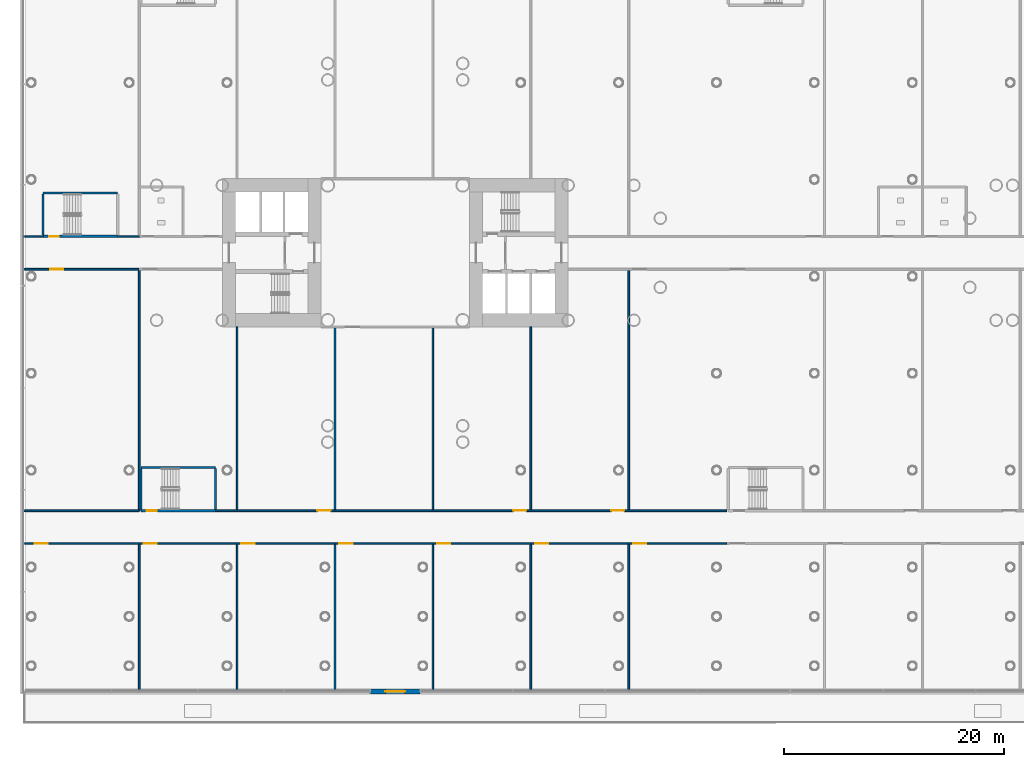
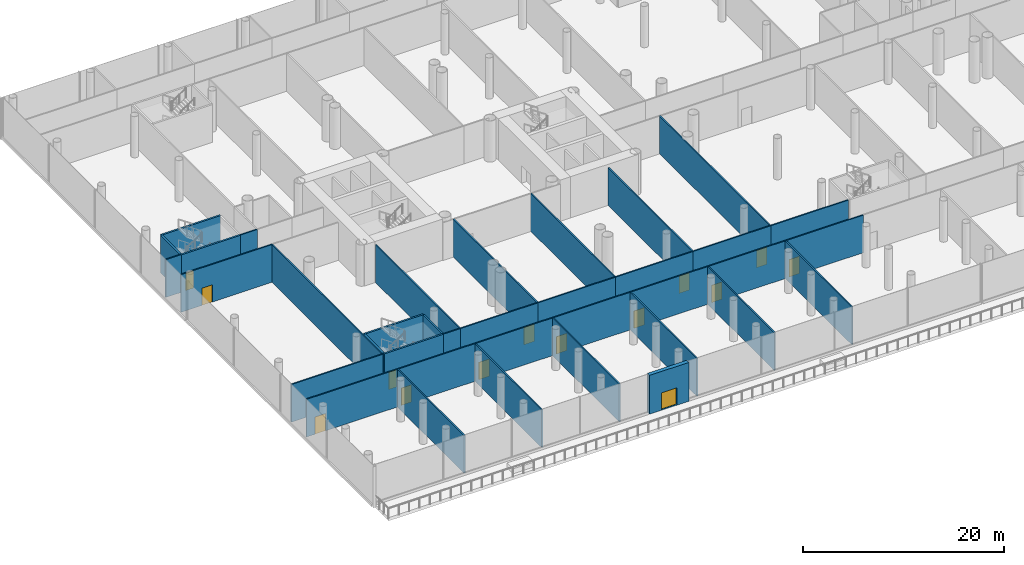
# One storey, part 17 of 59: 37 walls, 14 doors, 14 openings.
"""IFC4 building model written with IfcOpenShell, lengths in metres."""

from ifc_helpers import new_model, si_unit, direction, frame, frame_2d, origin, place, context, subcontext, project, spatial, rectangle, extrude, material, layer, layer_set, type_object, element, fill, save


model = new_model("IFC4")

# Units and contexts
model_context = context("Model", 3, precision=1e-05, world=origin(), true_north=direction((0.0, 1.0)))
body_context = subcontext(model_context, "Body", "Model", "MODEL_VIEW")
ifc_project = project(units=[si_unit("LENGTHUNIT", "METRE"), si_unit("AREAUNIT", "SQUARE_METRE"), si_unit("VOLUMEUNIT", "CUBIC_METRE"), si_unit("PLANEANGLEUNIT", "RADIAN"), si_unit("MASSUNIT", "GRAM", prefix="KILO")], contexts=[model_context])

# Site, building, storey
site_placement = place(None, origin())
site = spatial("IfcSite", under=ifc_project, at=site_placement, CompositionType="ELEMENT")
building_placement = place(site_placement, origin())
building = spatial("IfcBuilding", under=site, at=building_placement, Name="Ipe Terrace Towers", CompositionType="ELEMENT")
storey_placement = place(building_placement, frame((0.0, 0.0, 6.0)))
storey = spatial("IfcBuildingStorey", under=building, at=storey_placement, Name="L01", CompositionType="ELEMENT", Elevation=6.0)

# Wall, opening, door
ifc_material_1 = material(Name="Gypsum board partition", Category="plasterboard")
ifc_layer_1 = layer(ifc_material_1, 0.14990234375)
ifc_layer_set_1 = layer_set([ifc_layer_1], Name="Gypsum board partition 150 mm")
wall_type_1 = type_object("IfcWallType", Name="Gypsum board partition 150 mm", PredefinedType="PARTITIONING", material=ifc_layer_set_1)
wall_1_placement = place(storey_placement, frame((-69.85009765625, -26.5, 0.0), z_axis=(0.0, 0.0, 1.0), x_axis=(1.0, 0.0, 0.0)))
wall_1 = element("IfcWall", 1, at=wall_1_placement, inside=storey, type_object=wall_type_1, Name="Gypsum board partition T1 L01 pd-r0-w0", PredefinedType="PARTITIONING", context=body_context, shape_type="SweptSolid", body=[
    extrude(rectangle(XDim=10.52001953125, YDim=0.14990234375, at=frame_2d((5.260009765625, 0.0))), origin(), (0.0, 0.0, 1.0), 4.580078125),
])
opening_1_placement = place(wall_1_placement, frame((1.0, 0.0, 0.0)))
opening_1 = element("IfcOpeningElement", 2, at=opening_1_placement, cuts=wall_1, Name="Opening PD-L01-r0", PredefinedType="OPENING", context=body_context, shape_type="SweptSolid", body=[
    extrude(rectangle(XDim=1.199951171875, YDim=2.10009765625, at=frame_2d((0.60009765625, 1.050048828125))), frame((0.0, 0.0849609375, 0.0), z_axis=(0.0, -1.0, 0.0), x_axis=(1.0, 0.0, 0.0)), (0.0, 0.0, 1.0), 0.169921875),
])
ifc_material_2 = material(Name="Fire-rated timber door leaf", Category="wood")
door_type_1 = type_object("IfcDoorType", Name="Lounge door 1200 x 2100 FD30S", OperationType="NOTDEFINED", PredefinedType="DOOR", material=ifc_material_2)
door_1_placement = place(opening_1_placement, origin())
door_1 = element("IfcDoor", 3, at=door_1_placement, inside=storey, type_object=door_type_1, Name="Lounge door PD-L01-r0", OperationType="SINGLE_SWING_RIGHT", OverallHeight=2.10009765625, OverallWidth=1.199951171875, PredefinedType="DOOR", context=body_context, shape_type="SweptSolid", body=[
    extrude(rectangle(XDim=1.199951171875, YDim=2.10009765625, at=frame_2d((0.60009765625, 1.050048828125))), frame((0.0, 0.02490234375, 0.0), z_axis=(0.0, -1.0, 0.0), x_axis=(1.0, 0.0, 0.0)), (0.0, 0.0, 1.0), 0.050048828125),
])
fill(opening_1, door_1)

# Wall
wall_2_placement = place(storey_placement, frame((-59.330078125, -26.5, 0.0), z_axis=(0.0, 0.0, 1.0), x_axis=(0.0, -1.0, 0.0)))
element("IfcWall", 4, at=wall_2_placement, inside=storey, type_object=wall_type_1, Name="Gypsum board partition T1 L01 pd-r0-r4-w1", PredefinedType="PARTITIONING", context=body_context, shape_type="SweptSolid", body=[
    extrude(rectangle(XDim=13.35009765625, YDim=0.14990234375, at=frame_2d((6.675048828125, 0.0))), origin(), (0.0, 0.0, 1.0), 4.580078125),
])

# Wall, opening, door
wall_3_placement = place(storey_placement, frame((-69.85009765625, -1.5, 0.0), z_axis=(0.0, 0.0, 1.0), x_axis=(1.0, 0.0, 0.0)))
wall_3 = element("IfcWall", 5, at=wall_3_placement, inside=storey, type_object=wall_type_1, Name="Gypsum board partition T1 L01 pd-r1-w2", PredefinedType="PARTITIONING", context=body_context, shape_type="SweptSolid", body=[
    extrude(rectangle(XDim=10.52001953125, YDim=0.14990234375, at=frame_2d((5.260009765625, 0.0))), origin(), (0.0, 0.0, 1.0), 4.580078125),
])
opening_2_placement = place(wall_3_placement, frame((2.39990234375, 0.0, 0.0)))
opening_2 = element("IfcOpeningElement", 6, at=opening_2_placement, cuts=wall_3, Name="Opening PD-L01-r1", PredefinedType="OPENING", context=body_context, shape_type="SweptSolid", body=[
    extrude(rectangle(XDim=1.199951171875, YDim=2.10009765625, at=frame_2d((0.60009765625, 1.050048828125))), frame((0.0, 0.0849609375, 0.0), z_axis=(0.0, -1.0, 0.0), x_axis=(1.0, 0.0, 0.0)), (0.0, 0.0, 1.0), 0.169921875),
])
door_2_placement = place(opening_2_placement, origin())
door_2 = element("IfcDoor", 7, at=door_2_placement, inside=storey, type_object=door_type_1, Name="Lounge door PD-L01-r1", OperationType="SINGLE_SWING_RIGHT", OverallHeight=2.10009765625, OverallWidth=1.199951171875, PredefinedType="DOOR", context=body_context, shape_type="SweptSolid", body=[
    extrude(rectangle(XDim=1.199951171875, YDim=2.10009765625, at=frame_2d((0.60009765625, 1.050048828125))), frame((0.0, 0.02490234375, 0.0), z_axis=(0.0, -1.0, 0.0), x_axis=(1.0, 0.0, 0.0)), (0.0, 0.0, 1.0), 0.050048828125),
])
fill(opening_2, door_2)

# Walls
wall_4_placement = place(storey_placement, frame((-59.330078125, -23.5, 0.0), z_axis=(0.0, 0.0, 1.0), x_axis=(-1.0, 0.0, 0.0)))
element("IfcWall", 8, at=wall_4_placement, inside=storey, type_object=wall_type_1, Name="Gypsum board partition T1 L01 pd-r1-w3", PredefinedType="PARTITIONING", context=body_context, shape_type="SweptSolid", body=[
    extrude(rectangle(XDim=10.52001953125, YDim=0.14990234375, at=frame_2d((5.260009765625, 0.0))), origin(), (0.0, 0.0, 1.0), 4.580078125),
])
wall_5_placement = place(storey_placement, frame((-59.330078125, -1.5, 0.0), z_axis=(0.0, 0.0, 1.0), x_axis=(0.0, -1.0, 0.0)))
element("IfcWall", 9, at=wall_5_placement, inside=storey, type_object=wall_type_1, Name="Gypsum board partition T1 L01 pd-r1-r5-w4", PredefinedType="PARTITIONING", context=body_context, shape_type="SweptSolid", body=[
    extrude(rectangle(XDim=22.0, YDim=0.14990234375, at=frame_2d((11.0, 0.0))), origin(), (0.0, 0.0, 1.0), 4.580078125),
])
wall_6_placement = place(storey_placement, frame((-59.330078125, 1.5, 0.0), z_axis=(0.0, 0.0, 1.0), x_axis=(-1.0, 0.0, 0.0)))
element("IfcWall", 10, at=wall_6_placement, inside=storey, type_object=wall_type_1, Name="Gypsum board partition T1 L01 pd-r2-w5", PredefinedType="PARTITIONING", context=body_context, shape_type="SweptSolid", body=[
    extrude(rectangle(XDim=1.9599609375, YDim=0.14990234375, at=frame_2d((0.97998046875, 0.0))), origin(), (0.0, 0.0, 1.0), 4.580078125),
])
wall_7_placement = place(storey_placement, frame((-68.090087890625, 1.5, 0.0), z_axis=(0.0, 0.0, 1.0), x_axis=(-1.0, 0.0, 0.0)))
element("IfcWall", 11, at=wall_7_placement, inside=storey, type_object=wall_type_1, Name="Gypsum board partition T1 L01 pd-r2-w6", PredefinedType="PARTITIONING", context=body_context, shape_type="SweptSolid", body=[
    extrude(rectangle(XDim=1.760009765625, YDim=0.14990234375, at=frame_2d((0.8798828125, 0.0))), origin(), (0.0, 0.0, 1.0), 4.580078125),
])

# Wall, opening, door
wall_8_placement = place(storey_placement, frame((-59.330078125, -26.5, 0.0), z_axis=(0.0, 0.0, 1.0), x_axis=(1.0, 0.0, 0.0)))
wall_8 = element("IfcWall", 12, at=wall_8_placement, inside=storey, type_object=wall_type_1, Name="Gypsum board partition T1 L01 pd-r4-w11", PredefinedType="PARTITIONING", context=body_context, shape_type="SweptSolid", body=[
    extrude(rectangle(XDim=8.920166015625, YDim=0.14990234375, at=frame_2d((4.4599609375, 0.0))), origin(), (0.0, 0.0, 1.0), 4.580078125),
])
opening_3_placement = place(wall_8_placement, frame((0.39990234375, 0.0, 0.0)))
opening_3 = element("IfcOpeningElement", 13, at=opening_3_placement, cuts=wall_8, Name="Opening PD-L01-r4", PredefinedType="OPENING", context=body_context, shape_type="SweptSolid", body=[
    extrude(rectangle(XDim=1.199951171875, YDim=2.10009765625, at=frame_2d((0.60009765625, 1.050048828125))), frame((0.0, 0.0849609375, 0.0), z_axis=(0.0, -1.0, 0.0), x_axis=(1.0, 0.0, 0.0)), (0.0, 0.0, 1.0), 0.169921875),
])
door_3_placement = place(opening_3_placement, origin())
door_3 = element("IfcDoor", 14, at=door_3_placement, inside=storey, type_object=door_type_1, Name="Lounge door PD-L01-r4", OperationType="SINGLE_SWING_RIGHT", OverallHeight=2.10009765625, OverallWidth=1.199951171875, PredefinedType="DOOR", context=body_context, shape_type="SweptSolid", body=[
    extrude(rectangle(XDim=1.199951171875, YDim=2.10009765625, at=frame_2d((0.60009765625, 1.050048828125))), frame((0.0, 0.02490234375, 0.0), z_axis=(0.0, -1.0, 0.0), x_axis=(1.0, 0.0, 0.0)), (0.0, 0.0, 1.0), 0.050048828125),
])
fill(opening_3, door_3)

# Walls
wall_9_placement = place(storey_placement, frame((-50.409912109375, -26.5, 0.0), z_axis=(0.0, 0.0, 1.0), x_axis=(0.0, -1.0, 0.0)))
element("IfcWall", 15, at=wall_9_placement, inside=storey, type_object=wall_type_1, Name="Gypsum board partition T1 L01 pd-r4-r8-w12", PredefinedType="PARTITIONING", context=body_context, shape_type="SweptSolid", body=[
    extrude(rectangle(XDim=13.35009765625, YDim=0.14990234375, at=frame_2d((6.675048828125, 0.0))), origin(), (0.0, 0.0, 1.0), 4.580078125),
])
wall_10_placement = place(storey_placement, frame((-50.409912109375, -23.5, 0.0), z_axis=(0.0, 0.0, 1.0), x_axis=(-1.0, 0.0, 0.0)))
element("IfcWall", 16, at=wall_10_placement, inside=storey, type_object=wall_type_1, Name="Gypsum board partition T1 L01 pd-r5-w14", PredefinedType="PARTITIONING", context=body_context, shape_type="SweptSolid", body=[
    extrude(rectangle(XDim=1.960205078125, YDim=0.14990234375, at=frame_2d((0.97998046875, 0.0))), origin(), (0.0, 0.0, 1.0), 4.580078125),
])
wall_11_placement = place(storey_placement, frame((-50.409912109375, -6.75, 0.0), z_axis=(0.0, 0.0, 1.0), x_axis=(0.0, -1.0, 0.0)))
element("IfcWall", 17, at=wall_11_placement, inside=storey, type_object=wall_type_1, Name="Gypsum board partition T1 L01 pd-r5-r9-w15", PredefinedType="PARTITIONING", context=body_context, shape_type="SweptSolid", body=[
    extrude(rectangle(XDim=16.75, YDim=0.14990234375, at=frame_2d((8.375, 0.0))), origin(), (0.0, 0.0, 1.0), 4.580078125),
])

# Wall, opening, door
wall_12_placement = place(storey_placement, frame((-50.409912109375, -26.5, 0.0), z_axis=(0.0, 0.0, 1.0), x_axis=(1.0, 0.0, 0.0)))
wall_12 = element("IfcWall", 18, at=wall_12_placement, inside=storey, type_object=wall_type_1, Name="Gypsum board partition T1 L01 pd-r8-w19", PredefinedType="PARTITIONING", context=body_context, shape_type="SweptSolid", body=[
    extrude(rectangle(XDim=8.919921875, YDim=0.14990234375, at=frame_2d((4.4599609375, 0.0))), origin(), (0.0, 0.0, 1.0), 4.580078125),
])
opening_4_placement = place(wall_12_placement, frame((0.39990234375, 0.0, 0.0)))
opening_4 = element("IfcOpeningElement", 19, at=opening_4_placement, cuts=wall_12, Name="Opening PD-L01-r8", PredefinedType="OPENING", context=body_context, shape_type="SweptSolid", body=[
    extrude(rectangle(XDim=1.199951171875, YDim=2.10009765625, at=frame_2d((0.60009765625, 1.050048828125))), frame((0.0, 0.0849609375, 0.0), z_axis=(0.0, -1.0, 0.0), x_axis=(1.0, 0.0, 0.0)), (0.0, 0.0, 1.0), 0.169921875),
])
door_4_placement = place(opening_4_placement, origin())
door_4 = element("IfcDoor", 20, at=door_4_placement, inside=storey, type_object=door_type_1, Name="Lounge door PD-L01-r8", OperationType="SINGLE_SWING_RIGHT", OverallHeight=2.10009765625, OverallWidth=1.199951171875, PredefinedType="DOOR", context=body_context, shape_type="SweptSolid", body=[
    extrude(rectangle(XDim=1.199951171875, YDim=2.10009765625, at=frame_2d((0.60009765625, 1.050048828125))), frame((0.0, 0.02490234375, 0.0), z_axis=(0.0, -1.0, 0.0), x_axis=(1.0, 0.0, 0.0)), (0.0, 0.0, 1.0), 0.050048828125),
])
fill(opening_4, door_4)

wall_13_placement = place(storey_placement, frame((-41.489990234375, -23.5, 0.0), z_axis=(0.0, 0.0, 1.0), x_axis=(-1.0, 0.0, 0.0)))
wall_13 = element("IfcWall", 21, at=wall_13_placement, inside=storey, type_object=wall_type_1, Name="Gypsum board partition T1 L01 pd-r9-w21", PredefinedType="PARTITIONING", context=body_context, shape_type="SweptSolid", body=[
    extrude(rectangle(XDim=8.919921875, YDim=0.14990234375, at=frame_2d((4.4599609375, 0.0))), origin(), (0.0, 0.0, 1.0), 4.580078125),
])
opening_5_placement = place(wall_13_placement, frame((0.39990234375, 0.0, 0.0)))
opening_5 = element("IfcOpeningElement", 22, at=opening_5_placement, cuts=wall_13, Name="Opening PD-L01-r9", PredefinedType="OPENING", context=body_context, shape_type="SweptSolid", body=[
    extrude(rectangle(XDim=1.199951171875, YDim=2.10009765625, at=frame_2d((0.60009765625, 1.050048828125))), frame((0.0, 0.0849609375, 0.0), z_axis=(0.0, -1.0, 0.0), x_axis=(1.0, 0.0, 0.0)), (0.0, 0.0, 1.0), 0.169921875),
])
door_5_placement = place(opening_5_placement, origin())
door_5 = element("IfcDoor", 23, at=door_5_placement, inside=storey, type_object=door_type_1, Name="Lounge door PD-L01-r9", OperationType="SINGLE_SWING_RIGHT", OverallHeight=2.10009765625, OverallWidth=1.199951171875, PredefinedType="DOOR", context=body_context, shape_type="SweptSolid", body=[
    extrude(rectangle(XDim=1.199951171875, YDim=2.10009765625, at=frame_2d((0.60009765625, 1.050048828125))), frame((0.0, 0.02490234375, 0.0), z_axis=(0.0, -1.0, 0.0), x_axis=(1.0, 0.0, 0.0)), (0.0, 0.0, 1.0), 0.050048828125),
])
fill(opening_5, door_5)

wall_14_placement = place(storey_placement, frame((-41.489990234375, -26.5, 0.0), z_axis=(0.0, 0.0, 1.0), x_axis=(1.0, 0.0, 0.0)))
wall_14 = element("IfcWall", 24, at=wall_14_placement, inside=storey, type_object=wall_type_1, Name="Gypsum board partition T1 L01 pd-r12-w29", PredefinedType="PARTITIONING", context=body_context, shape_type="SweptSolid", body=[
    extrude(rectangle(XDim=8.919921875, YDim=0.14990234375, at=frame_2d((4.4599609375, 0.0))), origin(), (0.0, 0.0, 1.0), 4.580078125),
])
opening_6_placement = place(wall_14_placement, frame((0.39990234375, 0.0, 0.0)))
opening_6 = element("IfcOpeningElement", 25, at=opening_6_placement, cuts=wall_14, Name="Opening PD-L01-r12", PredefinedType="OPENING", context=body_context, shape_type="SweptSolid", body=[
    extrude(rectangle(XDim=1.199951171875, YDim=2.10009765625, at=frame_2d((0.60009765625, 1.050048828125))), frame((0.0, 0.0849609375, 0.0), z_axis=(0.0, -1.0, 0.0), x_axis=(1.0, 0.0, 0.0)), (0.0, 0.0, 1.0), 0.169921875),
])
door_6_placement = place(opening_6_placement, origin())
door_6 = element("IfcDoor", 26, at=door_6_placement, inside=storey, type_object=door_type_1, Name="Lounge door PD-L01-r12", OperationType="SINGLE_SWING_RIGHT", OverallHeight=2.10009765625, OverallWidth=1.199951171875, PredefinedType="DOOR", context=body_context, shape_type="SweptSolid", body=[
    extrude(rectangle(XDim=1.199951171875, YDim=2.10009765625, at=frame_2d((0.60009765625, 1.050048828125))), frame((0.0, 0.02490234375, 0.0), z_axis=(0.0, -1.0, 0.0), x_axis=(1.0, 0.0, 0.0)), (0.0, 0.0, 1.0), 0.050048828125),
])
fill(opening_6, door_6)

# Walls
for number, where, z_axis, x_axis, name in (
    (27, (-41.489990234375, -39.85009765625, 0.0), (0.0, 0.0, 1.0), (0.0, 1.0, 0.0), "Gypsum board partition T1 L01 pd-r12-r8-w30"),
    (28, (-32.570068359375, -26.5, 0.0), (0.0, 0.0, 1.0), (0.0, -1.0, 0.0), "Gypsum board partition T1 L01 pd-r12-r16-w31"),
):
    element("IfcWall", number, at=place(storey_placement, frame(where, z_axis=z_axis, x_axis=x_axis)), inside=storey, type_object=wall_type_1, Name=name, PredefinedType="PARTITIONING", context=body_context, shape_type="SweptSolid", body=[
        extrude(rectangle(XDim=13.35009765625, YDim=0.14990234375, at=frame_2d((6.675048828125, 0.0))), origin(), (0.0, 0.0, 1.0), 4.580078125),
    ])
wall_15_placement = place(storey_placement, frame((-32.570068359375, -23.5, 0.0), z_axis=(0.0, 0.0, 1.0), x_axis=(-1.0, 0.0, 0.0)))
element("IfcWall", 29, at=wall_15_placement, inside=storey, type_object=wall_type_1, Name="Gypsum board partition T1 L01 pd-r13-w33", PredefinedType="PARTITIONING", context=body_context, shape_type="SweptSolid", body=[
    extrude(rectangle(XDim=8.919921875, YDim=0.14990234375, at=frame_2d((4.4599609375, 0.0))), origin(), (0.0, 0.0, 1.0), 4.580078125),
])
for number, where, z_axis, x_axis, name in (
    (30, (-41.489990234375, -23.5, 0.0), (0.0, 0.0, 1.0), (0.0, 1.0, 0.0), "Gypsum board partition T1 L01 pd-r13-r9-w34"),
    (31, (-32.570068359375, -6.75, 0.0), (0.0, 0.0, 1.0), (0.0, -1.0, 0.0), "Gypsum board partition T1 L01 pd-r13-r17-w35"),
):
    element("IfcWall", number, at=place(storey_placement, frame(where, z_axis=z_axis, x_axis=x_axis)), inside=storey, type_object=wall_type_1, Name=name, PredefinedType="PARTITIONING", context=body_context, shape_type="SweptSolid", body=[
        extrude(rectangle(XDim=16.75, YDim=0.14990234375, at=frame_2d((8.375, 0.0))), origin(), (0.0, 0.0, 1.0), 4.580078125),
    ])

# Wall, opening, door
wall_16_placement = place(storey_placement, frame((-32.570068359375, -26.5, 0.0), z_axis=(0.0, 0.0, 1.0), x_axis=(1.0, 0.0, 0.0)))
wall_16 = element("IfcWall", 32, at=wall_16_placement, inside=storey, type_object=wall_type_1, Name="Gypsum board partition T1 L01 pd-r16-w41", PredefinedType="PARTITIONING", context=body_context, shape_type="SweptSolid", body=[
    extrude(rectangle(XDim=8.920166015625, YDim=0.14990234375, at=frame_2d((4.4599609375, 0.0))), origin(), (0.0, 0.0, 1.0), 4.580078125),
])
opening_7_placement = place(wall_16_placement, frame((0.39990234375, 0.0, 0.0)))
opening_7 = element("IfcOpeningElement", 33, at=opening_7_placement, cuts=wall_16, Name="Opening PD-L01-r16", PredefinedType="OPENING", context=body_context, shape_type="SweptSolid", body=[
    extrude(rectangle(XDim=1.199951171875, YDim=2.10009765625, at=frame_2d((0.60009765625, 1.050048828125))), frame((0.0, 0.0849609375, 0.0), z_axis=(0.0, -1.0, 0.0), x_axis=(1.0, 0.0, 0.0)), (0.0, 0.0, 1.0), 0.169921875),
])
door_7_placement = place(opening_7_placement, origin())
door_7 = element("IfcDoor", 34, at=door_7_placement, inside=storey, type_object=door_type_1, Name="Lounge door PD-L01-r16", OperationType="SINGLE_SWING_RIGHT", OverallHeight=2.10009765625, OverallWidth=1.199951171875, PredefinedType="DOOR", context=body_context, shape_type="SweptSolid", body=[
    extrude(rectangle(XDim=1.199951171875, YDim=2.10009765625, at=frame_2d((0.60009765625, 1.050048828125))), frame((0.0, 0.02490234375, 0.0), z_axis=(0.0, -1.0, 0.0), x_axis=(1.0, 0.0, 0.0)), (0.0, 0.0, 1.0), 0.050048828125),
])
fill(opening_7, door_7)

# Wall
wall_17_placement = place(storey_placement, frame((-23.64990234375, -26.5, 0.0), z_axis=(0.0, 0.0, 1.0), x_axis=(0.0, -1.0, 0.0)))
element("IfcWall", 35, at=wall_17_placement, inside=storey, type_object=wall_type_1, Name="Gypsum board partition T1 L01 pd-r16-r20-w42", PredefinedType="PARTITIONING", context=body_context, shape_type="SweptSolid", body=[
    extrude(rectangle(XDim=13.35009765625, YDim=0.14990234375, at=frame_2d((6.675048828125, 0.0))), origin(), (0.0, 0.0, 1.0), 4.580078125),
])

# Wall, opening, door
wall_18_placement = place(storey_placement, frame((-23.64990234375, -23.5, 0.0), z_axis=(0.0, 0.0, 1.0), x_axis=(-1.0, 0.0, 0.0)))
wall_18 = element("IfcWall", 36, at=wall_18_placement, inside=storey, type_object=wall_type_1, Name="Gypsum board partition T1 L01 pd-r17-w44", PredefinedType="PARTITIONING", context=body_context, shape_type="SweptSolid", body=[
    extrude(rectangle(XDim=8.920166015625, YDim=0.14990234375, at=frame_2d((4.4599609375, 0.0))), origin(), (0.0, 0.0, 1.0), 4.580078125),
])
opening_8_placement = place(wall_18_placement, frame((0.39990234375, 0.0, 0.0)))
opening_8 = element("IfcOpeningElement", 37, at=opening_8_placement, cuts=wall_18, Name="Opening PD-L01-r17", PredefinedType="OPENING", context=body_context, shape_type="SweptSolid", body=[
    extrude(rectangle(XDim=1.199951171875, YDim=2.10009765625, at=frame_2d((0.60009765625, 1.050048828125))), frame((0.0, 0.0849609375, 0.0), z_axis=(0.0, -1.0, 0.0), x_axis=(1.0, 0.0, 0.0)), (0.0, 0.0, 1.0), 0.169921875),
])
door_8_placement = place(opening_8_placement, origin())
door_8 = element("IfcDoor", 38, at=door_8_placement, inside=storey, type_object=door_type_1, Name="Lounge door PD-L01-r17", OperationType="SINGLE_SWING_RIGHT", OverallHeight=2.10009765625, OverallWidth=1.199951171875, PredefinedType="DOOR", context=body_context, shape_type="SweptSolid", body=[
    extrude(rectangle(XDim=1.199951171875, YDim=2.10009765625, at=frame_2d((0.60009765625, 1.050048828125))), frame((0.0, 0.02490234375, 0.0), z_axis=(0.0, -1.0, 0.0), x_axis=(1.0, 0.0, 0.0)), (0.0, 0.0, 1.0), 0.050048828125),
])
fill(opening_8, door_8)

# Wall
wall_19_placement = place(storey_placement, frame((-23.64990234375, -6.75, 0.0), z_axis=(0.0, 0.0, 1.0), x_axis=(0.0, -1.0, 0.0)))
element("IfcWall", 39, at=wall_19_placement, inside=storey, type_object=wall_type_1, Name="Gypsum board partition T1 L01 pd-r17-r22-w45", PredefinedType="PARTITIONING", context=body_context, shape_type="SweptSolid", body=[
    extrude(rectangle(XDim=16.75, YDim=0.14990234375, at=frame_2d((8.375, 0.0))), origin(), (0.0, 0.0, 1.0), 4.580078125),
])

# Wall, opening, door
wall_20_placement = place(storey_placement, frame((-23.64990234375, -26.5, 0.0), z_axis=(0.0, 0.0, 1.0), x_axis=(1.0, 0.0, 0.0)))
wall_20 = element("IfcWall", 40, at=wall_20_placement, inside=storey, type_object=wall_type_1, Name="Gypsum board partition T1 L01 pd-r20-w51", PredefinedType="PARTITIONING", context=body_context, shape_type="SweptSolid", body=[
    extrude(rectangle(XDim=8.919921875, YDim=0.14990234375, at=frame_2d((4.4599609375, 0.0))), origin(), (0.0, 0.0, 1.0), 4.580078125),
])
opening_9_placement = place(wall_20_placement, frame((0.39990234375, 0.0, 0.0)))
opening_9 = element("IfcOpeningElement", 41, at=opening_9_placement, cuts=wall_20, Name="Opening PD-L01-r20", PredefinedType="OPENING", context=body_context, shape_type="SweptSolid", body=[
    extrude(rectangle(XDim=1.199951171875, YDim=2.10009765625, at=frame_2d((0.60009765625, 1.050048828125))), frame((0.0, 0.0849609375, 0.0), z_axis=(0.0, -1.0, 0.0), x_axis=(1.0, 0.0, 0.0)), (0.0, 0.0, 1.0), 0.169921875),
])
door_9_placement = place(opening_9_placement, origin())
door_9 = element("IfcDoor", 42, at=door_9_placement, inside=storey, type_object=door_type_1, Name="Lounge door PD-L01-r20", OperationType="SINGLE_SWING_RIGHT", OverallHeight=2.10009765625, OverallWidth=1.199951171875, PredefinedType="DOOR", context=body_context, shape_type="SweptSolid", body=[
    extrude(rectangle(XDim=1.199951171875, YDim=2.10009765625, at=frame_2d((0.60009765625, 1.050048828125))), frame((0.0, 0.02490234375, 0.0), z_axis=(0.0, -1.0, 0.0), x_axis=(1.0, 0.0, 0.0)), (0.0, 0.0, 1.0), 0.050048828125),
])
fill(opening_9, door_9)

# Wall
wall_21_placement = place(storey_placement, frame((-14.72998046875, -26.5, 0.0), z_axis=(0.0, 0.0, 1.0), x_axis=(0.0, -1.0, 0.0)))
element("IfcWall", 43, at=wall_21_placement, inside=storey, type_object=wall_type_1, Name="Gypsum board partition T1 L01 pd-r20-r24-w52", PredefinedType="PARTITIONING", context=body_context, shape_type="SweptSolid", body=[
    extrude(rectangle(XDim=13.35009765625, YDim=0.14990234375, at=frame_2d((6.675048828125, 0.0))), origin(), (0.0, 0.0, 1.0), 4.580078125),
])

# Wall, opening, door
wall_22_placement = place(storey_placement, frame((-14.72998046875, -23.5, 0.0), z_axis=(0.0, 0.0, 1.0), x_axis=(-1.0, 0.0, 0.0)))
wall_22 = element("IfcWall", 44, at=wall_22_placement, inside=storey, type_object=wall_type_1, Name="Gypsum board partition T1 L01 pd-r22-w56", PredefinedType="PARTITIONING", context=body_context, shape_type="SweptSolid", body=[
    extrude(rectangle(XDim=8.919921875, YDim=0.14990234375, at=frame_2d((4.4599609375, 0.0))), origin(), (0.0, 0.0, 1.0), 4.580078125),
])
opening_10_placement = place(wall_22_placement, frame((0.39990234375, 0.0, 0.0)))
opening_10 = element("IfcOpeningElement", 45, at=opening_10_placement, cuts=wall_22, Name="Opening PD-L01-r22", PredefinedType="OPENING", context=body_context, shape_type="SweptSolid", body=[
    extrude(rectangle(XDim=1.199951171875, YDim=2.10009765625, at=frame_2d((0.60009765625, 1.050048828125))), frame((0.0, 0.0849609375, 0.0), z_axis=(0.0, -1.0, 0.0), x_axis=(1.0, 0.0, 0.0)), (0.0, 0.0, 1.0), 0.169921875),
])
door_10_placement = place(opening_10_placement, origin())
door_10 = element("IfcDoor", 46, at=door_10_placement, inside=storey, type_object=door_type_1, Name="Lounge door PD-L01-r22", OperationType="SINGLE_SWING_RIGHT", OverallHeight=2.10009765625, OverallWidth=1.199951171875, PredefinedType="DOOR", context=body_context, shape_type="SweptSolid", body=[
    extrude(rectangle(XDim=1.199951171875, YDim=2.10009765625, at=frame_2d((0.60009765625, 1.050048828125))), frame((0.0, 0.02490234375, 0.0), z_axis=(0.0, -1.0, 0.0), x_axis=(1.0, 0.0, 0.0)), (0.0, 0.0, 1.0), 0.050048828125),
])
fill(opening_10, door_10)

# Wall
wall_23_placement = place(storey_placement, frame((-14.72998046875, -1.5, 0.0), z_axis=(0.0, 0.0, 1.0), x_axis=(0.0, -1.0, 0.0)))
element("IfcWall", 47, at=wall_23_placement, inside=storey, type_object=wall_type_1, Name="Gypsum board partition T1 L01 pd-r22-r25-w57", PredefinedType="PARTITIONING", context=body_context, shape_type="SweptSolid", body=[
    extrude(rectangle(XDim=22.0, YDim=0.14990234375, at=frame_2d((11.0, 0.0))), origin(), (0.0, 0.0, 1.0), 4.580078125),
])

# Wall, opening, door
wall_24_placement = place(storey_placement, frame((-14.72998046875, -26.5, 0.0), z_axis=(0.0, 0.0, 1.0), x_axis=(1.0, 0.0, 0.0)))
wall_24 = element("IfcWall", 48, at=wall_24_placement, inside=storey, type_object=wall_type_1, Name="Gypsum board partition T1 L01 pd-r24-w61", PredefinedType="PARTITIONING", context=body_context, shape_type="SweptSolid", body=[
    extrude(rectangle(XDim=8.919921875, YDim=0.14990234375, at=frame_2d((4.4599609375, 0.0))), origin(), (0.0, 0.0, 1.0), 4.580078125),
])
opening_11_placement = place(wall_24_placement, frame((0.39990234375, 0.0, 0.0)))
opening_11 = element("IfcOpeningElement", 49, at=opening_11_placement, cuts=wall_24, Name="Opening PD-L01-r24", PredefinedType="OPENING", context=body_context, shape_type="SweptSolid", body=[
    extrude(rectangle(XDim=1.199951171875, YDim=2.10009765625, at=frame_2d((0.60009765625, 1.050048828125))), frame((0.0, 0.0849609375, 0.0), z_axis=(0.0, -1.0, 0.0), x_axis=(1.0, 0.0, 0.0)), (0.0, 0.0, 1.0), 0.169921875),
])
door_11_placement = place(opening_11_placement, origin())
door_11 = element("IfcDoor", 50, at=door_11_placement, inside=storey, type_object=door_type_1, Name="Lounge door PD-L01-r24", OperationType="SINGLE_SWING_RIGHT", OverallHeight=2.10009765625, OverallWidth=1.199951171875, PredefinedType="DOOR", context=body_context, shape_type="SweptSolid", body=[
    extrude(rectangle(XDim=1.199951171875, YDim=2.10009765625, at=frame_2d((0.60009765625, 1.050048828125))), frame((0.0, 0.02490234375, 0.0), z_axis=(0.0, -1.0, 0.0), x_axis=(1.0, 0.0, 0.0)), (0.0, 0.0, 1.0), 0.050048828125),
])
fill(opening_11, door_11)

# Wall
wall_25_placement = place(storey_placement, frame((-5.81005859375, -23.5, 0.0), z_axis=(0.0, 0.0, 1.0), x_axis=(-1.0, 0.0, 0.0)))
element("IfcWall", 51, at=wall_25_placement, inside=storey, type_object=wall_type_1, Name="Gypsum board partition T1 L01 pd-r25-w63", PredefinedType="PARTITIONING", context=body_context, shape_type="SweptSolid", body=[
    extrude(rectangle(XDim=8.919921875, YDim=0.14990234375, at=frame_2d((4.4599609375, 0.0))), origin(), (0.0, 0.0, 1.0), 4.580078125),
])

# Wall, opening, door
ifc_material_3 = material(Name="Concrete C40/50 with buff precast cladding", Category="concrete")
ifc_layer_2 = layer(ifc_material_3, 0.43994140625)
ifc_layer_set_2 = layer_set([ifc_layer_2], Name="PODIUM CLADDING WALL 440")
wall_type_2 = type_object("IfcWallType", Name="PODIUM CLADDING WALL 440", PredefinedType="STANDARD", material=ifc_layer_set_2)
wall_26_placement = place(storey_placement, frame((-38.25, -39.969970703125, -0.02001953125), z_axis=(0.0, 0.0, 1.0), x_axis=(1.0, 0.0, 0.0)))
wall_26 = element("IfcWall", 52, at=wall_26_placement, inside=storey, type_object=wall_type_2, Name="POD-W-L01-03b wall", PredefinedType="STANDARD", context=body_context, shape_type="SweptSolid", body=[
    extrude(rectangle(XDim=4.5, YDim=0.43994140625, at=frame_2d((2.25, 0.0))), origin(), (0.0, 0.0, 1.0), 4.719970703125),
])
opening_12_placement = place(wall_26_placement, frame((1.35009765625, 0.0, 0.02001953125)))
opening_12 = element("IfcOpeningElement", 53, at=opening_12_placement, cuts=wall_26, Name="Opening POD-D-L01-01", PredefinedType="OPENING", context=body_context, shape_type="SweptSolid", body=[
    extrude(rectangle(XDim=1.800048828125, YDim=2.10009765625, at=frame_2d((0.89990234375, 1.050048828125))), frame((0.0, 0.22998046875, 0.0), z_axis=(0.0, -1.0, 0.0), x_axis=(1.0, 0.0, 0.0)), (0.0, 0.0, 1.0), 0.4599609375),
])
ifc_material_4 = material(Name="Aluminium alloy 6063-T6 framed glazed door", Category="aluminium")
door_type_2 = type_object("IfcDoorType", Name="PODIUM TERRACE DOOR 1800 x 2100", OperationType="DOUBLE_DOOR_SINGLE_SWING", PredefinedType="DOOR", material=ifc_material_4)
door_12_placement = place(opening_12_placement, origin())
door_12 = element("IfcDoor", 54, at=door_12_placement, inside=storey, type_object=door_type_2, Name="DT2 terrace door", OperationType="DOUBLE_DOOR_SINGLE_SWING", OverallHeight=2.10009765625, OverallWidth=1.800048828125, PredefinedType="DOOR", context=body_context, shape_type="SweptSolid", body=[
    extrude(rectangle(XDim=1.800048828125, YDim=2.10009765625, at=frame_2d((0.89990234375, 1.050048828125))), frame((0.0, 0.02490234375, 0.0), z_axis=(0.0, -1.0, 0.0), x_axis=(1.0, 0.0, 0.0)), (0.0, 0.0, 1.0), 0.050048828125),
])
fill(opening_12, door_12)

ifc_material_5 = material(Name="Concrete C40/50", Category="concrete")
ifc_layer_3 = layer(ifc_material_5, 0.199951171875)
ifc_layer_set_3 = layer_set([ifc_layer_3], Name="RW200 PODIUM STAIR SHAFT WALL 200 C40-50")
wall_type_3 = type_object("IfcWallType", Name="RW200 PODIUM STAIR SHAFT WALL 200 C40-50", PredefinedType="SHEAR", material=ifc_layer_set_3)
wall_27_placement = place(storey_placement, frame((-59.169921875, -23.5, 0.0), z_axis=(0.0, 0.0, 1.0), x_axis=(1.0, 0.0, 0.0)))
wall_27 = element("IfcWall", 55, at=wall_27_placement, inside=storey, type_object=wall_type_3, Name="Stair shaft wall T1 L01 ps4-c", PredefinedType="SHEAR", context=body_context, shape_type="SweptSolid", body=[
    extrude(rectangle(XDim=6.7998046875, YDim=0.199951171875, at=frame_2d((3.39990234375, 0.0))), origin(), (0.0, 0.0, 1.0), 4.580078125),
])
opening_13_placement = place(wall_27_placement, frame((0.550048828125, 0.0, 0.0)))
opening_13 = element("IfcOpeningElement", 56, at=opening_13_placement, cuts=wall_27, Name="Opening PS4-SD", PredefinedType="OPENING", context=body_context, shape_type="SweptSolid", body=[
    extrude(rectangle(XDim=0.89990234375, YDim=2.10009765625, at=frame_2d((0.449951171875, 1.050048828125))), frame((0.0, 0.10986328125, 0.0), z_axis=(0.0, -1.0, 0.0), x_axis=(1.0, 0.0, 0.0)), (0.0, 0.0, 1.0), 0.219970703125),
])
ifc_material_6 = material(Name="Fire-rated timber door leaf", Category="wood")
door_type_3 = type_object("IfcDoorType", Name="Stair door 900 x 2100 FD60", OperationType="NOTDEFINED", PredefinedType="DOOR", material=ifc_material_6)
door_13_placement = place(opening_13_placement, origin())
door_13 = element("IfcDoor", 57, at=door_13_placement, inside=storey, type_object=door_type_3, Name="Stair door PS4-SD", OperationType="SINGLE_SWING_RIGHT", OverallHeight=2.10009765625, OverallWidth=0.89990234375, PredefinedType="DOOR", context=body_context, shape_type="SweptSolid", body=[
    extrude(rectangle(XDim=0.89990234375, YDim=2.10009765625, at=frame_2d((0.449951171875, 1.050048828125))), frame((0.0, 0.02490234375, 0.0), z_axis=(0.0, -1.0, 0.0), x_axis=(1.0, 0.0, 0.0)), (0.0, 0.0, 1.0), 0.050048828125),
])
fill(opening_13, door_13)

# Walls
wall_28_placement = place(storey_placement, frame((-59.169921875, -19.550048828125, 0.0), z_axis=(0.0, 0.0, 1.0), x_axis=(1.0, 0.0, 0.0)))
element("IfcWall", 58, at=wall_28_placement, inside=storey, type_object=wall_type_3, Name="Stair shaft wall T1 L01 ps4-f", PredefinedType="SHEAR", context=body_context, shape_type="SweptSolid", body=[
    extrude(rectangle(XDim=6.7998046875, YDim=0.199951171875, at=frame_2d((3.39990234375, 0.0))), origin(), (0.0, 0.0, 1.0), 4.580078125),
])
for number, where, z_axis, x_axis, name in (
    (59, (-59.169921875, -23.39990234375, 0.0), (0.0, 0.0, 1.0), (0.0, 1.0, 0.0), "Stair shaft wall T1 L01 ps4-w"),
    (60, (-52.3701171875, -23.39990234375, 0.0), (0.0, 0.0, 1.0), (0.0, 1.0, 0.0), "Stair shaft wall T1 L01 ps4-e"),
):
    element("IfcWall", number, at=place(storey_placement, frame(where, z_axis=z_axis, x_axis=x_axis)), inside=storey, type_object=wall_type_3, Name=name, PredefinedType="SHEAR", context=body_context, shape_type="SweptSolid", body=[
        extrude(rectangle(XDim=3.75, YDim=0.199951171875, at=frame_2d((1.875, 0.0))), origin(), (0.0, 0.0, 1.0), 4.580078125),
    ])

# Wall, opening, door
wall_29_placement = place(storey_placement, frame((-68.090087890625, 1.5, 0.0), z_axis=(0.0, 0.0, 1.0), x_axis=(1.0, 0.0, 0.0)))
wall_29 = element("IfcWall", 61, at=wall_29_placement, inside=storey, type_object=wall_type_3, Name="Stair shaft wall T1 L01 ps7-c", PredefinedType="SHEAR", context=body_context, shape_type="SweptSolid", body=[
    extrude(rectangle(XDim=6.800048828125, YDim=0.199951171875, at=frame_2d((3.39990234375, 0.0))), origin(), (0.0, 0.0, 1.0), 4.580078125),
])
opening_14_placement = place(wall_29_placement, frame((0.550048828125, 0.0, 0.0)))
opening_14 = element("IfcOpeningElement", 62, at=opening_14_placement, cuts=wall_29, Name="Opening PS7-SD", PredefinedType="OPENING", context=body_context, shape_type="SweptSolid", body=[
    extrude(rectangle(XDim=0.89990234375, YDim=2.10009765625, at=frame_2d((0.449951171875, 1.050048828125))), frame((0.0, 0.10986328125, 0.0), z_axis=(0.0, -1.0, 0.0), x_axis=(1.0, 0.0, 0.0)), (0.0, 0.0, 1.0), 0.219970703125),
])
door_14_placement = place(opening_14_placement, origin())
door_14 = element("IfcDoor", 63, at=door_14_placement, inside=storey, type_object=door_type_3, Name="Stair door PS7-SD", OperationType="SINGLE_SWING_RIGHT", OverallHeight=2.10009765625, OverallWidth=0.89990234375, PredefinedType="DOOR", context=body_context, shape_type="SweptSolid", body=[
    extrude(rectangle(XDim=0.89990234375, YDim=2.10009765625, at=frame_2d((0.449951171875, 1.050048828125))), frame((0.0, 0.02490234375, 0.0), z_axis=(0.0, -1.0, 0.0), x_axis=(1.0, 0.0, 0.0)), (0.0, 0.0, 1.0), 0.050048828125),
])
fill(opening_14, door_14)

# Walls
wall_30_placement = place(storey_placement, frame((-68.090087890625, 5.449951171875, 0.0), z_axis=(0.0, 0.0, 1.0), x_axis=(1.0, 0.0, 0.0)))
element("IfcWall", 64, at=wall_30_placement, inside=storey, type_object=wall_type_3, Name="Stair shaft wall T1 L01 ps7-f", PredefinedType="SHEAR", context=body_context, shape_type="SweptSolid", body=[
    extrude(rectangle(XDim=6.800048828125, YDim=0.199951171875, at=frame_2d((3.39990234375, 0.0))), origin(), (0.0, 0.0, 1.0), 4.580078125),
])
wall_31_placement = place(storey_placement, frame((-68.090087890625, 1.60009765625, 0.0), z_axis=(0.0, 0.0, 1.0), x_axis=(0.0, 1.0, 0.0)))
element("IfcWall", 65, at=wall_31_placement, inside=storey, type_object=wall_type_3, Name="Stair shaft wall T1 L01 ps7-w", PredefinedType="SHEAR", context=body_context, shape_type="SweptSolid", body=[
    extrude(rectangle(XDim=3.75, YDim=0.199951171875, at=frame_2d((1.875, 0.0))), origin(), (0.0, 0.0, 1.0), 4.580078125),
])

save(model, "model.ifc")
